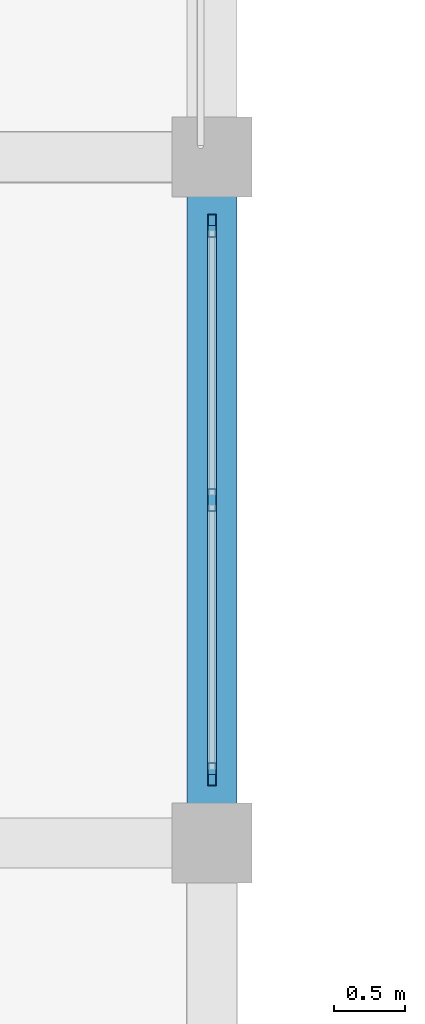
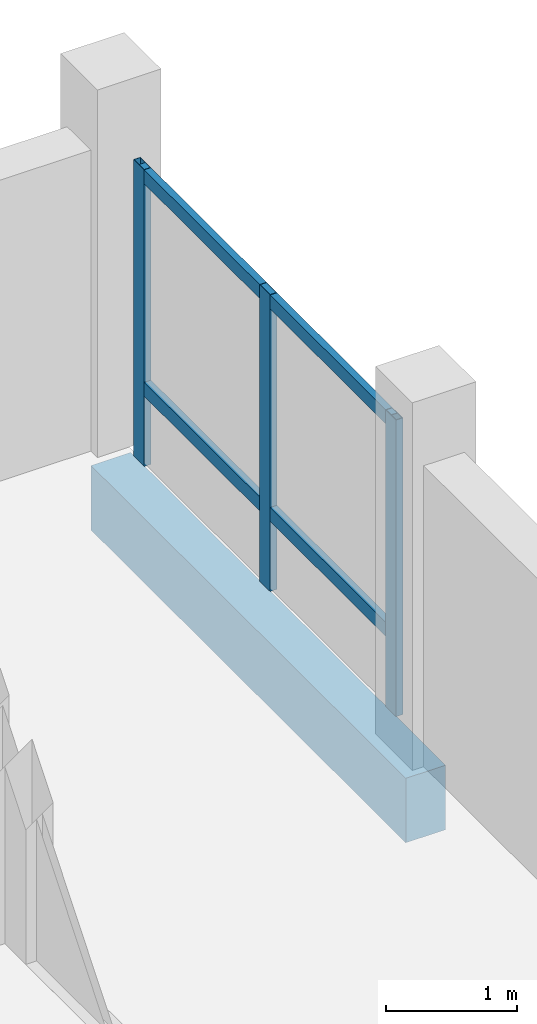
# One storey, part 15 of 66: 5 members, 1 beam, 1 element without a shape of its own.
"""IFC4 building model written with IfcOpenShell, lengths in metres."""

from ifc_helpers import new_model, si_unit, direction, frame, origin, origin_2d, place, context, subcontext, project, spatial, rectangle, hollow_rectangle, extrude, material, material_profile, profile_set, type_object, element, aggregate, save


model = new_model("IFC4")

# Units and contexts
model_context = context("Model", 3, precision=1e-05, world=origin(), true_north=direction((0.0, 1.0)))
body_context = subcontext(model_context, "Body", "Model", "MODEL_VIEW")
ifc_project = project(units=[si_unit("LENGTHUNIT", "METRE"), si_unit("AREAUNIT", "SQUARE_METRE"), si_unit("VOLUMEUNIT", "CUBIC_METRE"), si_unit("PLANEANGLEUNIT", "RADIAN"), si_unit("MASSUNIT", "GRAM", prefix="KILO")], contexts=[model_context])

# Site, building, storey
site_placement = place(None, origin())
site = spatial("IfcSite", under=ifc_project, at=site_placement, CompositionType="ELEMENT")
building_placement = place(site_placement, origin())
building = spatial("IfcBuilding", under=site, at=building_placement, Name="Zornivar Specialist Clinic", CompositionType="ELEMENT")
storey_placement = place(building_placement, frame((0.0, 0.0, 16.0)))
storey = spatial("IfcBuildingStorey", under=building, at=storey_placement, Name="L04", CompositionType="ELEMENT", Elevation=16.0)

# Beam
ifc_material_1 = material(Name="Concrete C30/37", Category="concrete")
ifc_material_profile_1 = material_profile(ifc_material_1, rectangle(XDim=0.35009765625, YDim=0.60009765625, at=origin_2d()), Name="RC 350x600")
ifc_profile_set_1 = profile_set([ifc_material_profile_1], Name="Concrete C30/37")
beam_type = type_object("IfcBeamType", Name="BM-RC-350x600", PredefinedType="BEAM", material=ifc_profile_set_1)
beam_placement = place(storey_placement, frame((14.39990234375, 43.199951171875, -0.580078125), z_axis=(0.0, 1.0, 0.0), x_axis=(-1.0, 0.0, 0.0)))
element("IfcBeam", 1, at=beam_placement, inside=storey, type_object=beam_type, Name="bm:V2:L04:y:144:6", PredefinedType="BEAM", context=body_context, shape_type="SweptSolid", body=[
    extrude(rectangle(XDim=0.35009765625, YDim=0.60009765625, at=origin_2d()), origin(), (0.0, 0.0, 1.0), 4.800048828125),
])

# Curtain wall, members
ifc_material_2 = material(Name="Aluminium and Low-E Glass Curtain Wall", Category="aluminium")
curtain_wall_type = type_object("IfcCurtainWallType", Name="CW-REVAK-COURT", PredefinedType="NOTDEFINED", material=ifc_material_2)
curtain_wall_placement = place(storey_placement, origin())
curtain_wall = element("IfcCurtainWall", 2, at=curtain_wall_placement, inside=storey, type_object=curtain_wall_type, Name="cw:V2:L04:16", PredefinedType="NOTDEFINED")
ifc_material_3 = material(Name="Aluminium AW-6060", Category="aluminium")
ifc_material_profile_2 = material_profile(ifc_material_3, hollow_rectangle(XDim=0.06005859375, YDim=0.159912109375, WallThickness=0.00390625, at=origin_2d()), Name="ALU 60x160x4")
ifc_profile_set_2 = profile_set([ifc_material_profile_2], Name="Aluminium AW-6060")
member_type_1 = type_object("IfcMemberType", Name="CWM-MUL-160", PredefinedType="MULLION", material=ifc_profile_set_2)
member_1_placement = place(storey_placement, frame((14.39990234375, 43.679931640625, 0.0), z_axis=(0.0, 0.0, 1.0), x_axis=(1.0, 0.0, 0.0)))
member_1 = element("IfcMember", 3, at=member_1_placement, type_object=member_type_1, Name="cw:V2:L04:16:mul:0", PredefinedType="MULLION", context=body_context, shape_type="SweptSolid", body=[
    extrude(hollow_rectangle(XDim=0.06005859375, YDim=0.159912109375, WallThickness=0.00390625, at=origin_2d()), origin(), (0.0, 0.0, 1.0), 2.760009765625),
])
member_2_placement = place(storey_placement, frame((14.39990234375, 45.60009765625, 0.0), z_axis=(0.0, 0.0, 1.0), x_axis=(1.0, 0.0, 0.0)))
member_2 = element("IfcMember", 4, at=member_2_placement, type_object=member_type_1, Name="cw:V2:L04:16:mul:1", PredefinedType="MULLION", context=body_context, shape_type="SweptSolid", body=[
    extrude(hollow_rectangle(XDim=0.06005859375, YDim=0.159912109375, WallThickness=0.00390625, at=origin_2d()), origin(), (0.0, 0.0, 1.0), 2.760009765625),
])
member_3_placement = place(storey_placement, frame((14.39990234375, 47.52001953125, 0.0), z_axis=(0.0, 0.0, 1.0), x_axis=(1.0, 0.0, 0.0)))
member_3 = element("IfcMember", 5, at=member_3_placement, type_object=member_type_1, Name="cw:V2:L04:16:mul:2", PredefinedType="MULLION", context=body_context, shape_type="SweptSolid", body=[
    extrude(hollow_rectangle(XDim=0.06005859375, YDim=0.159912109375, WallThickness=0.00390625, at=origin_2d()), origin(), (0.0, 0.0, 1.0), 2.760009765625),
])
ifc_material_4 = material(Name="Aluminium AW-6060", Category="aluminium")
ifc_material_profile_3 = material_profile(ifc_material_4, hollow_rectangle(XDim=0.06005859375, YDim=0.1298828125, WallThickness=0.00390625, at=origin_2d()), Name="ALU 60x130x4")
ifc_profile_set_3 = profile_set([ifc_material_profile_3], Name="Aluminium AW-6060")
member_type_2 = type_object("IfcMemberType", Name="CWM-TRN-130", PredefinedType="USERDEFINED", material=ifc_profile_set_3)
member_4_placement = place(storey_placement, frame((14.39990234375, 43.679931640625, 0.718017578125), z_axis=(0.0, 1.0, 0.0), x_axis=(-1.0, 0.0, 0.0)))
member_4 = element("IfcMember", 6, at=member_4_placement, type_object=member_type_2, Name="cw:V2:L04:16:trn:0", ObjectType="TRANSOM", PredefinedType="USERDEFINED", context=body_context, shape_type="SweptSolid", body=[
    extrude(hollow_rectangle(XDim=0.06005859375, YDim=0.1298828125, WallThickness=0.00390625, at=origin_2d()), origin(), (0.0, 0.0, 1.0), 3.840087890625),
])
member_5_placement = place(storey_placement, frame((14.39990234375, 43.679931640625, 2.695068359375), z_axis=(0.0, 1.0, 0.0), x_axis=(-1.0, 0.0, 0.0)))
member_5 = element("IfcMember", 7, at=member_5_placement, type_object=member_type_2, Name="cw:V2:L04:16:trn:1", ObjectType="TRANSOM", PredefinedType="USERDEFINED", context=body_context, shape_type="SweptSolid", body=[
    extrude(hollow_rectangle(XDim=0.06005859375, YDim=0.1298828125, WallThickness=0.00390625, at=origin_2d()), origin(), (0.0, 0.0, 1.0), 3.840087890625),
])
aggregate(curtain_wall, [member_1, member_2, member_3, member_4, member_5])

save(model, "model.ifc")
